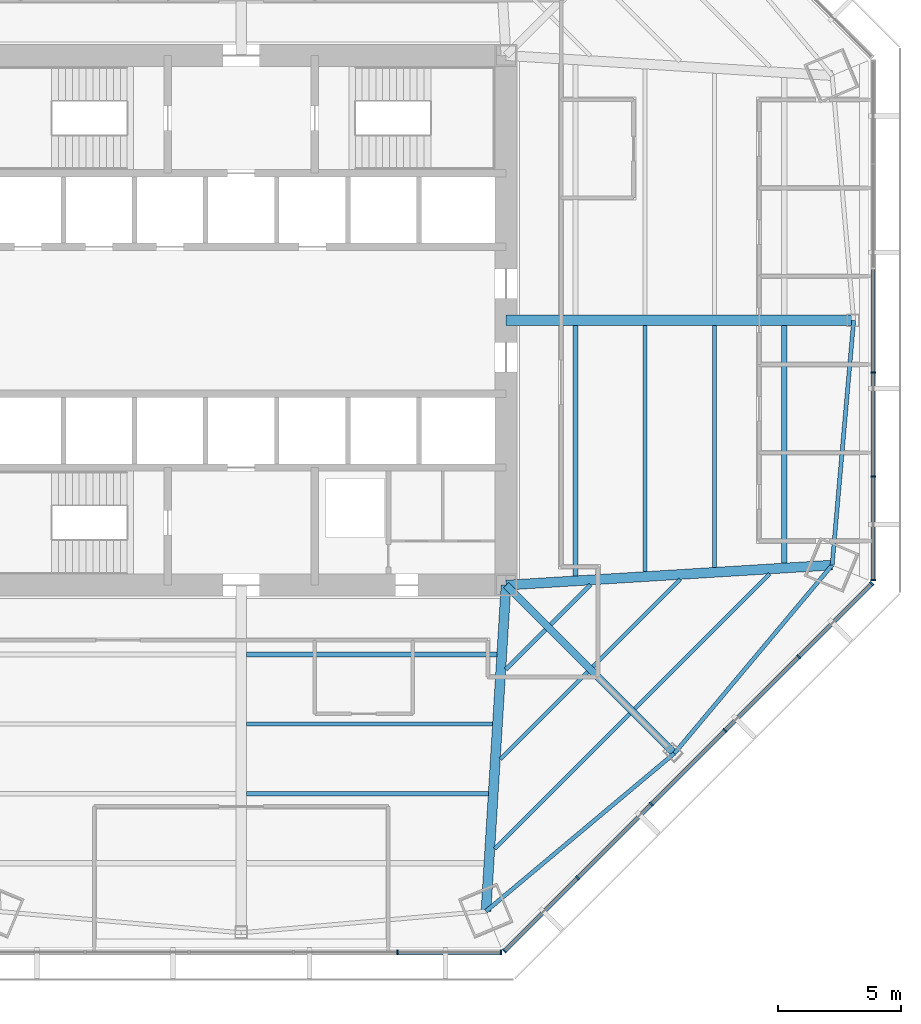
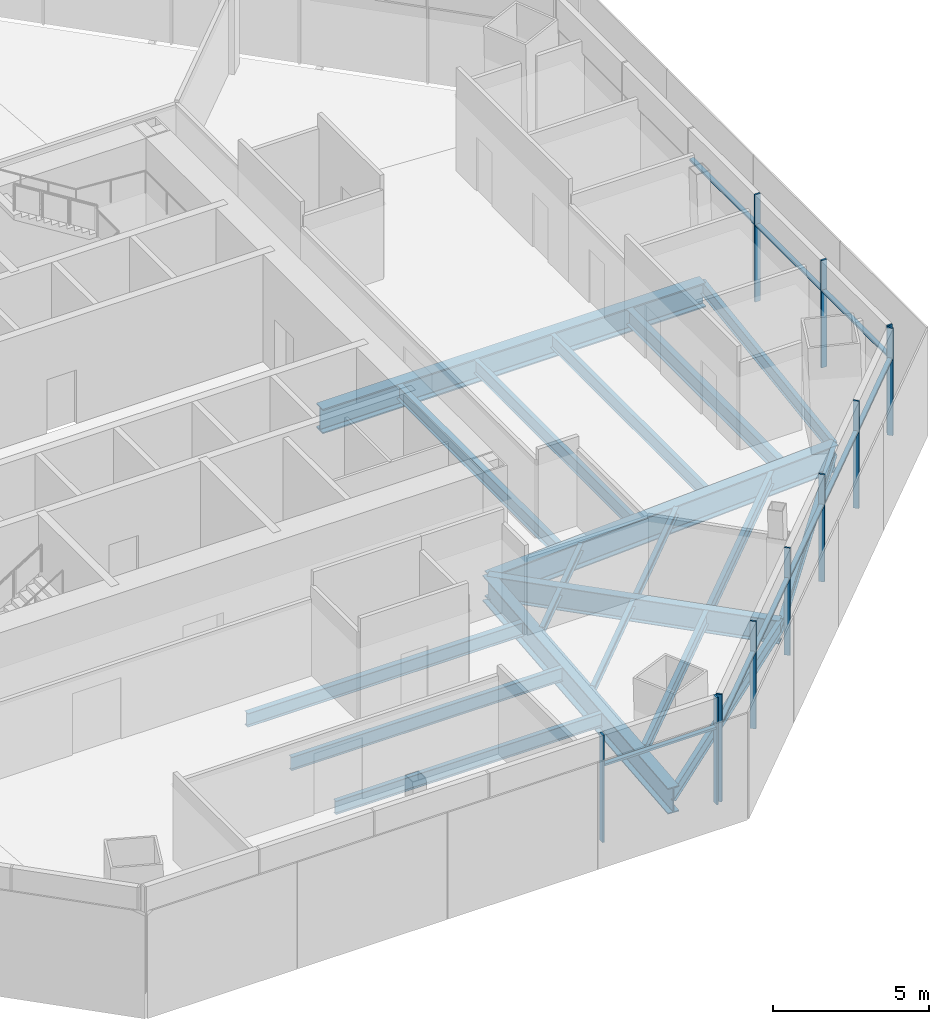
# One storey, part 4 of 16: 20 beams, 20 members, 3 elements without a shape of their own.
"""IFC4 building model written with IfcOpenShell, lengths in metres."""

from ifc_helpers import new_model, si_unit, direction, frame, origin, origin_2d, place, context, subcontext, project, spatial, rectangle, i_section, extrude, source, transform, mapped, material, material_profile, profile_set, type_object, type_shapes, element, aggregate, save


model = new_model("IFC4")

# Units and contexts
model_context = context("Model", 3, precision=1e-05, world=origin(), true_north=direction((0.0, 1.0)))
body_context = subcontext(model_context, "Body", "Model", "MODEL_VIEW")
ifc_project = project(units=[si_unit("LENGTHUNIT", "METRE"), si_unit("AREAUNIT", "SQUARE_METRE"), si_unit("VOLUMEUNIT", "CUBIC_METRE"), si_unit("PLANEANGLEUNIT", "RADIAN"), si_unit("MASSUNIT", "GRAM", prefix="KILO")], contexts=[model_context])

# Site, building, storey
site_placement = place(None, origin())
site = spatial("IfcSite", under=ifc_project, at=site_placement, CompositionType="ELEMENT")
building_placement = place(site_placement, origin())
building = spatial("IfcBuilding", under=site, at=building_placement, Name="Mashrafa Tower", CompositionType="ELEMENT")
storey_placement = place(building_placement, frame((0.0, 0.0, 79.199951171875)))
storey = spatial("IfcBuildingStorey", under=building, at=storey_placement, Name="L17", CompositionType="ELEMENT", Elevation=79.199951171875)

# Beams
ifc_material_1 = material(Name="Steel ASTM A992", Category="steel")
ifc_material_profile_1 = material_profile(ifc_material_1, i_section(OverallWidth=0.164794921875, OverallDepth=0.309814453125, WebThickness=0.005859375, FlangeThickness=0.009765625, FilletRadius=0.007568359375, at=origin_2d()), Name="W12X26")
ifc_profile_set_1 = profile_set([ifc_material_profile_1], Name="Steel ASTM A992")
beam_type_1 = type_object("IfcBeamType", Name="Beam W12X26", PredefinedType="BEAM", material=ifc_profile_set_1)
beam_1_placement = place(storey_placement, frame((12.407958984375, -12.62353515625, -0.31982421875), z_axis=(-0.707160117545, -0.707053440804, 0.0), x_axis=(0.707053440804, -0.707160117545, 0.0)))
element("IfcBeam", 1, at=beam_1_placement, inside=storey, type_object=beam_type_1, Name="Floor beam L17 040", PredefinedType="BEAM", context=body_context, shape_type="SweptSolid", body=[
    extrude(i_section(OverallWidth=0.164794921875, OverallDepth=0.309814453125, WebThickness=0.005859375, FlangeThickness=0.009765625, FilletRadius=0.007568359375, at=origin_2d()), origin(), (0.0, 0.0, 1.0), 2.28857421875),
])
beam_2_placement = place(storey_placement, frame((14.12353515625, -14.339111328125, -0.31982421875), z_axis=(-0.707082525744, -0.707131035797, 0.0), x_axis=(0.707131035797, -0.707082525744, 0.0)))
element("IfcBeam", 2, at=beam_2_placement, inside=storey, type_object=beam_type_1, Name="Floor beam L17 044", PredefinedType="BEAM", context=body_context, shape_type="SweptSolid", body=[
    extrude(i_section(OverallWidth=0.164794921875, OverallDepth=0.309814453125, WebThickness=0.005859375, FlangeThickness=0.009765625, FilletRadius=0.007568359375, at=origin_2d()), origin(), (0.0, 0.0, 1.0), 5.03271484375),
])
beam_3_placement = place(storey_placement, frame((14.24169921875, -10.78955078125, -0.31982421875), z_axis=(-0.707053440804, -0.707160117545, 0.0), x_axis=(0.707160117545, -0.707053440804, 0.0)))
element("IfcBeam", 3, at=beam_3_placement, inside=storey, type_object=beam_type_1, Name="Floor beam L17 046", PredefinedType="BEAM", context=body_context, shape_type="SweptSolid", body=[
    extrude(i_section(OverallWidth=0.164794921875, OverallDepth=0.309814453125, WebThickness=0.005859375, FlangeThickness=0.009765625, FilletRadius=0.007568359375, at=origin_2d()), origin(), (0.0, 0.0, 1.0), 2.28857421875),
])
beam_4_placement = place(storey_placement, frame((17.89794921875, -10.56494140625, -0.31982421875), z_axis=(-0.707131035797, -0.707082525744, 0.0), x_axis=(0.707082525744, -0.707131035797, 0.0)))
element("IfcBeam", 4, at=beam_4_placement, inside=storey, type_object=beam_type_1, Name="Floor beam L17 051", PredefinedType="BEAM", context=body_context, shape_type="SweptSolid", body=[
    extrude(i_section(OverallWidth=0.164794921875, OverallDepth=0.309814453125, WebThickness=0.005859375, FlangeThickness=0.009765625, FilletRadius=0.007568359375, at=origin_2d()), origin(), (0.0, 0.0, 1.0), 5.03271484375),
])
ifc_material_2 = material(Name="Steel ASTM A992", Category="steel")
ifc_material_profile_2 = material_profile(ifc_material_2, i_section(OverallWidth=0.165771484375, OverallDepth=0.5283203125, WebThickness=0.009765625, FlangeThickness=0.013671875, FilletRadius=0.012939453125, at=origin_2d()), Name="W21X50")
ifc_profile_set_2 = profile_set([ifc_material_profile_2], Name="Steel ASTM A992")
beam_type_2 = type_object("IfcBeamType", Name="Beam W21X50", PredefinedType="BEAM", material=ifc_profile_set_2)
beam_5_placement = place(storey_placement, frame((10.076416015625, -19.307373046875, -0.42919921875), z_axis=(-1.0, 0.0, 0.0), x_axis=(0.0, -1.0, 0.0)))
element("IfcBeam", 5, at=beam_5_placement, inside=storey, type_object=beam_type_2, Name="Floor beam L17 035", PredefinedType="BEAM", context=body_context, shape_type="SweptSolid", body=[
    extrude(i_section(OverallWidth=0.165771484375, OverallDepth=0.5283203125, WebThickness=0.009765625, FlangeThickness=0.013671875, FilletRadius=0.012939453125, at=origin_2d()), origin(), (0.0, 0.0, 1.0), 9.8642578125),
])
beam_6_placement = place(storey_placement, frame((10.25048828125, -16.4716796875, -0.42919921875), z_axis=(-1.0, 0.0, 0.0), x_axis=(0.0, -1.0, 0.0)))
element("IfcBeam", 6, at=beam_6_placement, inside=storey, type_object=beam_type_2, Name="Floor beam L17 037", PredefinedType="BEAM", context=body_context, shape_type="SweptSolid", body=[
    extrude(i_section(OverallWidth=0.165771484375, OverallDepth=0.5283203125, WebThickness=0.009765625, FlangeThickness=0.013671875, FilletRadius=0.012939453125, at=origin_2d()), origin(), (0.0, 0.0, 1.0), 10.038330078125),
])
beam_7_placement = place(storey_placement, frame((15.83935546875, -16.054931640625, -0.42919921875), z_axis=(-0.707106781187, -0.707106781187, 0.0), x_axis=(0.707106781187, -0.707106781187, 0.0)))
element("IfcBeam", 7, at=beam_7_placement, inside=storey, type_object=beam_type_2, Name="Floor beam L17 047", PredefinedType="BEAM", context=body_context, shape_type="SweptSolid", body=[
    extrude(i_section(OverallWidth=0.165771484375, OverallDepth=0.5283203125, WebThickness=0.009765625, FlangeThickness=0.013671875, FilletRadius=0.012939453125, at=origin_2d()), origin(), (0.0, 0.0, 1.0), 7.77685546875),
])
beam_8_placement = place(storey_placement, frame((16.4716796875, -0.212158203125, -0.42919921875), z_axis=(0.0, -1.0, 0.0), x_axis=(1.0, 0.0, 0.0)))
element("IfcBeam", 8, at=beam_8_placement, inside=storey, type_object=beam_type_2, Name="Floor beam L17 049", PredefinedType="BEAM", context=body_context, shape_type="SweptSolid", body=[
    extrude(i_section(OverallWidth=0.165771484375, OverallDepth=0.5283203125, WebThickness=0.009765625, FlangeThickness=0.013671875, FilletRadius=0.012939453125, at=origin_2d()), origin(), (0.0, 0.0, 1.0), 10.038330078125),
])
beam_9_placement = place(storey_placement, frame((19.307373046875, -0.212158203125, -0.42919921875), z_axis=(0.0, -1.0, 0.0), x_axis=(1.0, 0.0, 0.0)))
element("IfcBeam", 9, at=beam_9_placement, inside=storey, type_object=beam_type_2, Name="Floor beam L17 052", PredefinedType="BEAM", context=body_context, shape_type="SweptSolid", body=[
    extrude(i_section(OverallWidth=0.165771484375, OverallDepth=0.5283203125, WebThickness=0.009765625, FlangeThickness=0.013671875, FilletRadius=0.012939453125, at=origin_2d()), origin(), (0.0, 0.0, 1.0), 9.8642578125),
])
beam_10_placement = place(storey_placement, frame((21.553955078125, -10.34033203125, -0.42919921875), z_axis=(-0.707106781187, -0.707106781187, 0.0), x_axis=(0.707106781187, -0.707106781187, 0.0)))
element("IfcBeam", 10, at=beam_10_placement, inside=storey, type_object=beam_type_2, Name="Floor beam L17 054", PredefinedType="BEAM", context=body_context, shape_type="SweptSolid", body=[
    extrude(i_section(OverallWidth=0.165771484375, OverallDepth=0.5283203125, WebThickness=0.009765625, FlangeThickness=0.013671875, FilletRadius=0.012939453125, at=origin_2d()), origin(), (0.0, 0.0, 1.0), 7.77685546875),
])
for number, where, z_axis, x_axis, name in (
    (11, (9.98291015625, -24.1005859375, -0.42919921875), (0.766362929588, 0.642407861217, 0.0), (-0.642407861217, 0.766362929588, 0.0), "Spandrel beam L17 082"),
    (12, (17.662841796875, -17.662841796875, -0.42919921875), (0.642407861217, 0.766362929588, 0.0), (-0.766362929588, 0.642407861217, 0.0), "Spandrel beam L17 084"),
):
    element("IfcBeam", number, at=place(storey_placement, frame(where, z_axis=z_axis, x_axis=x_axis)), inside=storey, type_object=beam_type_2, Name=name, PredefinedType="BEAM", context=body_context, shape_type="SweptSolid", body=[
        extrude(i_section(OverallWidth=0.165771484375, OverallDepth=0.5283203125, WebThickness=0.009765625, FlangeThickness=0.013671875, FilletRadius=0.012939453125, at=origin_2d()), origin(), (0.0, 0.0, 1.0), 10.021240234375),
    ])
beam_11_placement = place(storey_placement, frame((24.1005859375, -9.98291015625, -0.42919921875), z_axis=(0.087653494461, 0.996151025151, 0.0), x_axis=(-0.996151025151, 0.087653494461, 0.0)))
element("IfcBeam", 13, at=beam_11_placement, inside=storey, type_object=beam_type_2, Name="Spandrel beam L17 086", PredefinedType="BEAM", context=body_context, shape_type="SweptSolid", body=[
    extrude(i_section(OverallWidth=0.165771484375, OverallDepth=0.5283203125, WebThickness=0.009765625, FlangeThickness=0.013671875, FilletRadius=0.012939453125, at=origin_2d()), origin(), (0.0, 0.0, 1.0), 10.021484375),
])
ifc_material_3 = material(Name="Steel ASTM A992", Category="steel")
ifc_material_profile_3 = material_profile(ifc_material_3, i_section(OverallWidth=0.209228515625, OverallDepth=0.533447265625, WebThickness=0.01025390625, FlangeThickness=0.015625, FilletRadius=0.012939453125, at=origin_2d()), Name="W21X62")
ifc_profile_set_3 = profile_set([ifc_material_profile_3], Name="Steel ASTM A992")
beam_type_3 = type_object("IfcBeamType", Name="Beam W21X62", PredefinedType="BEAM", material=ifc_profile_set_3)
for number, where, z_axis, x_axis, name in (
    (14, (10.4248046875, -13.6357421875, -0.431640625), (-1.0, 0.0, 0.0), (0.0, -1.0, 0.0), "Floor beam L17 039"),
    (15, (13.6357421875, -0.212158203125, -0.431640625), (0.0, -1.0, 0.0), (1.0, 0.0, 0.0), "Floor beam L17 042"),
):
    element("IfcBeam", number, at=place(storey_placement, frame(where, z_axis=z_axis, x_axis=x_axis)), inside=storey, type_object=beam_type_3, Name=name, PredefinedType="BEAM", context=body_context, shape_type="SweptSolid", body=[
        extrude(i_section(OverallWidth=0.209228515625, OverallDepth=0.533447265625, WebThickness=0.01025390625, FlangeThickness=0.015625, FilletRadius=0.012939453125, at=origin_2d()), origin(), (0.0, 0.0, 1.0), 10.212646484375),
    ])
ifc_material_4 = material(Name="Steel ASTM A992", Category="steel")
ifc_material_profile_4 = material_profile(ifc_material_4, i_section(OverallWidth=0.227783203125, OverallDepth=0.60205078125, WebThickness=0.010498046875, FlangeThickness=0.014892578125, FilletRadius=0.012939453125, at=origin_2d()), Name="W24X68")
ifc_profile_set_4 = profile_set([ifc_material_profile_4], Name="Steel ASTM A992")
beam_type_4 = type_object("IfcBeamType", Name="Beam W24X68", PredefinedType="BEAM", material=ifc_profile_set_4)
beam_12_placement = place(storey_placement, frame((22.14306640625, -0.212158203125, -0.4658203125), z_axis=(0.0, -1.0, 0.0), x_axis=(1.0, 0.0, 0.0)))
element("IfcBeam", 16, at=beam_12_placement, inside=storey, type_object=beam_type_4, Name="Floor beam L17 055", PredefinedType="BEAM", context=body_context, shape_type="SweptSolid", body=[
    extrude(i_section(OverallWidth=0.227783203125, OverallDepth=0.60205078125, WebThickness=0.010498046875, FlangeThickness=0.014892578125, FilletRadius=0.012939453125, at=origin_2d()), origin(), (0.0, 0.0, 1.0), 9.68994140625),
])
ifc_material_5 = material(Name="Steel ASTM A992", Category="steel")
ifc_material_profile_5 = material_profile(ifc_material_5, i_section(OverallWidth=0.3046875, OverallDepth=0.911865234375, WebThickness=0.015869140625, FlangeThickness=0.02392578125, FilletRadius=0.01904296875, at=origin_2d()), Name="W36X150")
ifc_profile_set_5 = profile_set([ifc_material_profile_5], Name="Steel ASTM A992")
beam_type_5 = type_object("IfcBeamType", Name="Beam W36X150", PredefinedType="BEAM", material=ifc_profile_set_5)
beam_13_placement = place(storey_placement, frame((10.800048828125, -10.800048828125, -0.620849609375), z_axis=(0.707106781187, -0.707106781187, 0.0), x_axis=(0.707106781187, 0.707106781187, 0.0)))
element("IfcBeam", 17, at=beam_13_placement, inside=storey, type_object=beam_type_5, Name="Radial girder L17 067", PredefinedType="BEAM", context=body_context, shape_type="SweptSolid", body=[
    extrude(i_section(OverallWidth=0.3046875, OverallDepth=0.911865234375, WebThickness=0.015869140625, FlangeThickness=0.02392578125, FilletRadius=0.01904296875, at=origin_2d()), origin(), (0.0, 0.0, 1.0), 9.70556640625),
])
ifc_material_6 = material(Name="Steel ASTM A992", Category="steel")
ifc_material_profile_6 = material_profile(ifc_material_6, i_section(OverallWidth=0.424072265625, OverallDepth=0.960205078125, WebThickness=0.028564453125, FlangeThickness=0.051025390625, FilletRadius=0.02001953125, at=origin_2d()), Name="W36X361")
ifc_profile_set_6 = profile_set([ifc_material_profile_6], Name="Steel ASTM A992")
beam_type_6 = type_object("IfcBeamType", Name="Beam W36X361", PredefinedType="BEAM", material=ifc_profile_set_6)
beam_14_placement = place(storey_placement, frame((10.800048828125, 0.0, -0.64501953125), z_axis=(1.0, 0.0, 0.0), x_axis=(0.0, 1.0, 0.0)))
element("IfcBeam", 18, at=beam_14_placement, inside=storey, type_object=beam_type_6, Name="Radial girder L17 069", PredefinedType="BEAM", context=body_context, shape_type="SweptSolid", body=[
    extrude(i_section(OverallWidth=0.424072265625, OverallDepth=0.960205078125, WebThickness=0.028564453125, FlangeThickness=0.051025390625, FilletRadius=0.02001953125, at=origin_2d()), origin(), (0.0, 0.0, 1.0), 14.178955078125),
])
ifc_material_7 = material(Name="Steel ASTM A992", Category="steel")
ifc_material_profile_7 = material_profile(ifc_material_7, i_section(OverallWidth=0.4013671875, OverallDepth=1.010986328125, WebThickness=0.023681640625, FlangeThickness=0.0419921875, FilletRadius=0.02001953125, at=origin_2d()), Name="W40X297")
ifc_profile_set_7 = profile_set([ifc_material_profile_7], Name="Steel ASTM A992")
beam_type_7 = type_object("IfcBeamType", Name="Beam W40X297", PredefinedType="BEAM", material=ifc_profile_set_7)
for number, where, z_axis, x_axis, name in (
    (19, (10.800048828125, -10.800048828125, -0.67041015625), (-0.061320899618, -0.998118102867, 0.0), (0.998118102867, -0.061320899618, 0.0), "Radial girder L17 066"),
    (20, (10.800048828125, -10.800048828125, -0.67041015625), (0.998118102867, 0.061320899618, 0.0), (-0.061320899618, 0.998118102867, 0.0), "Radial girder L17 068"),
):
    element("IfcBeam", number, at=place(storey_placement, frame(where, z_axis=z_axis, x_axis=x_axis)), inside=storey, type_object=beam_type_7, Name=name, PredefinedType="BEAM", context=body_context, shape_type="SweptSolid", body=[
        extrude(i_section(OverallWidth=0.4013671875, OverallDepth=1.010986328125, WebThickness=0.023681640625, FlangeThickness=0.0419921875, FilletRadius=0.02001953125, at=origin_2d()), origin(), (0.0, 0.0, 1.0), 13.32568359375),
    ])

# Curtain wall, members
ifc_material_8 = material(Name="Unitised aluminium curtain wall", Category="aluminium")
curtain_wall_type = type_object("IfcCurtainWallType", Name="Office curtain wall, zone 1 CW-A 200 deep", PredefinedType="NOTDEFINED", material=ifc_material_8)
curtain_wall_1_placement = place(storey_placement, origin())
curtain_wall_1 = element("IfcCurtainWall", 21, at=curtain_wall_1_placement, inside=storey, type_object=curtain_wall_type, Name="Office curtain wall, zone 1 L17 east", PredefinedType="NOTDEFINED")
ifc_material_9 = material(Name="Extruded aluminium mullion", Category="aluminium")
ifc_material_profile_8 = material_profile(ifc_material_9, rectangle(XDim=0.199951171875, YDim=0.06494140625, at=origin_2d()), Name="Mullion 65x200")
ifc_profile_set_8 = profile_set([ifc_material_profile_8], Name="Extruded aluminium mullion")
member_type_1 = type_object("IfcMemberType", Name="Mullion CW-A 65 x 200", PredefinedType="MULLION", material=ifc_profile_set_8)
shared_shape_1 = source(origin(), body_context, "Body", "SweptSolid", [
    extrude(rectangle(XDim=0.199951171875, YDim=0.06494140625, at=origin_2d()), origin(), (0.0, 0.0, 1.0), 4.199951171875),
])
type_shapes(member_type_1, [shared_shape_1])
member_1_placement = place(storey_placement, frame((25.774169921875, -10.592041015625, 0.0), z_axis=(0.0, 0.0, 1.0), x_axis=(-1.0, 0.0, 0.0)))
member_1 = element("IfcMember", 22, at=member_1_placement, type_object=member_type_1, Name="CW-A mullion 1", PredefinedType="MULLION", context=body_context, shape_type="MappedRepresentation", body=[
    mapped(shared_shape_1, transform((0.0, 0.0, 0.0))),
])
member_2_placement = place(storey_placement, frame((25.774169921875, -6.374755859375, 0.0), z_axis=(0.0, 0.0, 1.0), x_axis=(-1.0, 0.0, 0.0)))
member_2 = element("IfcMember", 23, at=member_2_placement, type_object=member_type_1, Name="CW-A mullion 2", PredefinedType="MULLION", context=body_context, shape_type="MappedRepresentation", body=[
    mapped(shared_shape_1, transform((0.0, 0.0, 0.0))),
])
member_3_placement = place(storey_placement, frame((25.774169921875, -2.125, 0.0), z_axis=(0.0, 0.0, 1.0), x_axis=(-1.0, 0.0, 0.0)))
member_3 = element("IfcMember", 24, at=member_3_placement, type_object=member_type_1, Name="CW-A mullion 3", PredefinedType="MULLION", context=body_context, shape_type="MappedRepresentation", body=[
    mapped(shared_shape_1, transform((0.0, 0.0, 0.0))),
])

curtain_wall_2_placement = place(storey_placement, origin())
curtain_wall_2 = element("IfcCurtainWall", 25, at=curtain_wall_2_placement, inside=storey, type_object=curtain_wall_type, Name="Office curtain wall, zone 1 L17 south", PredefinedType="NOTDEFINED")
member_4_placement = place(storey_placement, frame((6.374755859375, -25.774169921875, 0.0), z_axis=(0.0, 0.0, 1.0), x_axis=(0.0, 1.0, 0.0)))
member_4 = element("IfcMember", 26, at=member_4_placement, type_object=member_type_1, Name="CW-A mullion 5", PredefinedType="MULLION", context=body_context, shape_type="MappedRepresentation", body=[
    mapped(shared_shape_1, transform((0.0, 0.0, 0.0))),
])
member_5_placement = place(storey_placement, frame((10.592041015625, -25.774169921875, 0.0), z_axis=(0.0, 0.0, 1.0), x_axis=(0.0, 1.0, 0.0)))
member_5 = element("IfcMember", 27, at=member_5_placement, type_object=member_type_1, Name="CW-A mullion 6", PredefinedType="MULLION", context=body_context, shape_type="MappedRepresentation", body=[
    mapped(shared_shape_1, transform((0.0, 0.0, 0.0))),
])

curtain_wall_3_placement = place(storey_placement, origin())
curtain_wall_3 = element("IfcCurtainWall", 28, at=curtain_wall_3_placement, inside=storey, type_object=curtain_wall_type, Name="Office curtain wall, zone 1 L17 south-east", PredefinedType="NOTDEFINED")
member_6_placement = place(storey_placement, frame((10.7353515625, -25.71484375, 0.0), z_axis=(0.0, 0.0, 1.0), x_axis=(-0.707106781187, 0.707106781187, 0.0)))
member_6 = element("IfcMember", 29, at=member_6_placement, type_object=member_type_1, Name="CW-A mullion 1", PredefinedType="MULLION", context=body_context, shape_type="MappedRepresentation", body=[
    mapped(shared_shape_1, transform((0.0, 0.0, 0.0))),
])
member_7_placement = place(storey_placement, frame((13.717529296875, -22.73291015625, 0.0), z_axis=(0.0, 0.0, 1.0), x_axis=(-0.707106781187, 0.707106781187, 0.0)))
member_7 = element("IfcMember", 30, at=member_7_placement, type_object=member_type_1, Name="CW-A mullion 2", PredefinedType="MULLION", context=body_context, shape_type="MappedRepresentation", body=[
    mapped(shared_shape_1, transform((0.0, 0.0, 0.0))),
])
member_8_placement = place(storey_placement, frame((16.72265625, -19.727783203125, 0.0), z_axis=(0.0, 0.0, 1.0), x_axis=(-0.707106781187, 0.707106781187, 0.0)))
member_8 = element("IfcMember", 31, at=member_8_placement, type_object=member_type_1, Name="CW-A mullion 3", PredefinedType="MULLION", context=body_context, shape_type="MappedRepresentation", body=[
    mapped(shared_shape_1, transform((0.0, 0.0, 0.0))),
])
member_9_placement = place(storey_placement, frame((19.727783203125, -16.72265625, 0.0), z_axis=(0.0, 0.0, 1.0), x_axis=(-0.707106781187, 0.707106781187, 0.0)))
member_9 = element("IfcMember", 32, at=member_9_placement, type_object=member_type_1, Name="CW-A mullion 4", PredefinedType="MULLION", context=body_context, shape_type="MappedRepresentation", body=[
    mapped(shared_shape_1, transform((0.0, 0.0, 0.0))),
])
member_10_placement = place(storey_placement, frame((22.73291015625, -13.717529296875, 0.0), z_axis=(0.0, 0.0, 1.0), x_axis=(-0.707106781187, 0.707106781187, 0.0)))
member_10 = element("IfcMember", 33, at=member_10_placement, type_object=member_type_1, Name="CW-A mullion 5", PredefinedType="MULLION", context=body_context, shape_type="MappedRepresentation", body=[
    mapped(shared_shape_1, transform((0.0, 0.0, 0.0))),
])
member_11_placement = place(storey_placement, frame((25.71484375, -10.7353515625, 0.0), z_axis=(0.0, 0.0, 1.0), x_axis=(-0.707106781187, 0.707106781187, 0.0)))
member_11 = element("IfcMember", 34, at=member_11_placement, type_object=member_type_1, Name="CW-A mullion 6", PredefinedType="MULLION", context=body_context, shape_type="MappedRepresentation", body=[
    mapped(shared_shape_1, transform((0.0, 0.0, 0.0))),
])

# Member
ifc_material_10 = material(Name="Extruded aluminium transom", Category="aluminium")
ifc_material_profile_9 = material_profile(ifc_material_10, rectangle(XDim=0.159912109375, YDim=0.080078125, at=origin_2d()), Name="Transom 80x160")
ifc_profile_set_9 = profile_set([ifc_material_profile_9], Name="Extruded aluminium transom")
member_type_2 = type_object("IfcMemberType", Name="Transom CW-A 80 x 160", PredefinedType="MULLION", material=ifc_profile_set_9)
shared_shape_2 = source(origin(), body_context, "Body", "SweptSolid", [
    extrude(rectangle(XDim=0.159912109375, YDim=0.080078125, at=origin_2d()), origin(), (0.0, 0.0, 1.0), 4.15234375),
])
member_12_placement = place(storey_placement, frame((25.774169921875, -10.5595703125, 3.0), z_axis=(0.0, 1.0, 0.0), x_axis=(-1.0, 0.0, 0.0)))
member_12 = element("IfcMember", 35, at=member_12_placement, type_object=member_type_2, Name="CW-A transom 1", PredefinedType="MULLION", context=body_context, shape_type="MappedRepresentation", body=[
    mapped(shared_shape_2, transform((0.0, 0.0, 0.0))),
])

member_13_placement = place(storey_placement, frame((6.4072265625, -25.774169921875, 3.0), z_axis=(1.0, 0.0, 0.0), x_axis=(0.0, 1.0, 0.0)))
member_13 = element("IfcMember", 36, at=member_13_placement, type_object=member_type_2, Name="CW-A transom 5", PredefinedType="MULLION", context=body_context, shape_type="MappedRepresentation", body=[
    mapped(shared_shape_2, transform((0.0, 0.0, 0.0))),
])

aggregate(curtain_wall_2, [member_4, member_5, member_13])

member_14_placement = place(storey_placement, frame((10.75830078125, -25.69189453125, 3.0), z_axis=(0.707136178438, 0.707077382713, 0.0), x_axis=(-0.707077382713, 0.707136178438, 0.0)))
member_14 = element("IfcMember", 37, at=member_14_placement, type_object=member_type_2, Name="CW-A transom 1", PredefinedType="MULLION", context=body_context, shape_type="MappedRepresentation", body=[
    mapped(shared_shape_2, transform((0.0, 0.0, 0.0))),
])

member_15_placement = place(storey_placement, frame((22.755859375, -13.694580078125, 3.0), z_axis=(0.707077382713, 0.707136178438, 0.0), x_axis=(-0.707136178438, 0.707077382713, 0.0)))
member_15 = element("IfcMember", 38, at=member_15_placement, type_object=member_type_2, Name="CW-A transom 5", PredefinedType="MULLION", context=body_context, shape_type="MappedRepresentation", body=[
    mapped(shared_shape_2, transform((0.0, 0.0, 0.0))),
])

shared_shape_3 = source(origin(), body_context, "Body", "SweptSolid", [
    extrude(rectangle(XDim=0.159912109375, YDim=0.080078125, at=origin_2d()), origin(), (0.0, 0.0, 1.0), 4.184814453125),
])
member_16_placement = place(storey_placement, frame((25.774169921875, -6.34228515625, 3.0), z_axis=(0.0, 1.0, 0.0), x_axis=(-1.0, 0.0, 0.0)))
member_16 = element("IfcMember", 39, at=member_16_placement, type_object=member_type_2, Name="CW-A transom 2", PredefinedType="MULLION", context=body_context, shape_type="MappedRepresentation", body=[
    mapped(shared_shape_3, transform((0.0, 0.0, 0.0))),
])

member_17_placement = place(storey_placement, frame((13.740478515625, -22.709716796875, 3.0), z_axis=(0.707135950453, 0.707077610716, 0.0), x_axis=(-0.707077610716, 0.707135950453, 0.0)))
member_17 = element("IfcMember", 40, at=member_17_placement, type_object=member_type_2, Name="CW-A transom 2", PredefinedType="MULLION", context=body_context, shape_type="MappedRepresentation", body=[
    mapped(shared_shape_3, transform((0.0, 0.0, 0.0))),
])

member_18_placement = place(storey_placement, frame((19.750732421875, -16.69970703125, 3.0), z_axis=(0.707077610716, 0.707135950453, 0.0), x_axis=(-0.707135950453, 0.707077610716, 0.0)))
member_18 = element("IfcMember", 41, at=member_18_placement, type_object=member_type_2, Name="CW-A transom 4", PredefinedType="MULLION", context=body_context, shape_type="MappedRepresentation", body=[
    mapped(shared_shape_3, transform((0.0, 0.0, 0.0))),
])

shared_shape_4 = source(origin(), body_context, "Body", "SweptSolid", [
    extrude(rectangle(XDim=0.159912109375, YDim=0.080078125, at=origin_2d()), origin(), (0.0, 0.0, 1.0), 4.18505859375),
])
type_shapes(member_type_2, [shared_shape_2, shared_shape_3, shared_shape_4])
member_19_placement = place(storey_placement, frame((25.774169921875, -2.092529296875, 3.0), z_axis=(0.0, 1.0, 0.0), x_axis=(-1.0, 0.0, 0.0)))
member_19 = element("IfcMember", 42, at=member_19_placement, type_object=member_type_2, Name="CW-A transom 3", PredefinedType="MULLION", context=body_context, shape_type="MappedRepresentation", body=[
    mapped(shared_shape_4, transform((0.0, 0.0, 0.0))),
])

aggregate(curtain_wall_1, [member_1, member_2, member_3, member_12, member_16, member_19])

member_20_placement = place(storey_placement, frame((16.74560546875, -19.704833984375, 3.0), z_axis=(0.707106781187, 0.707106781187, 0.0), x_axis=(-0.707106781187, 0.707106781187, 0.0)))
member_20 = element("IfcMember", 43, at=member_20_placement, type_object=member_type_2, Name="CW-A transom 3", PredefinedType="MULLION", context=body_context, shape_type="MappedRepresentation", body=[
    mapped(shared_shape_4, transform((0.0, 0.0, 0.0))),
])

aggregate(curtain_wall_3, [member_6, member_7, member_8, member_9, member_10, member_11, member_14, member_17, member_20, member_18, member_15])

save(model, "model.ifc")
